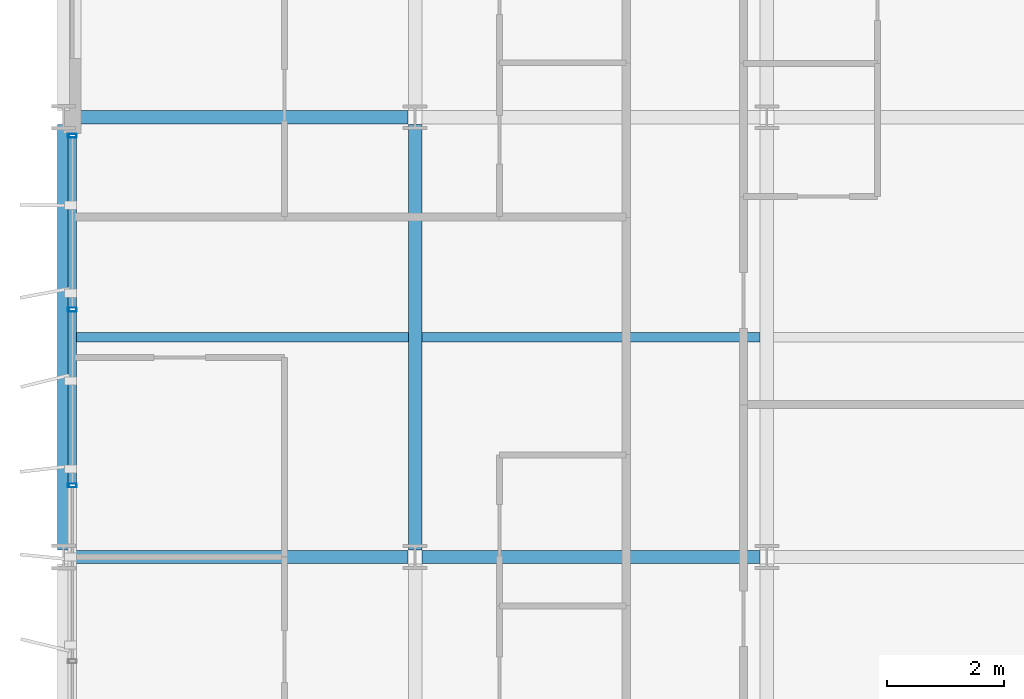
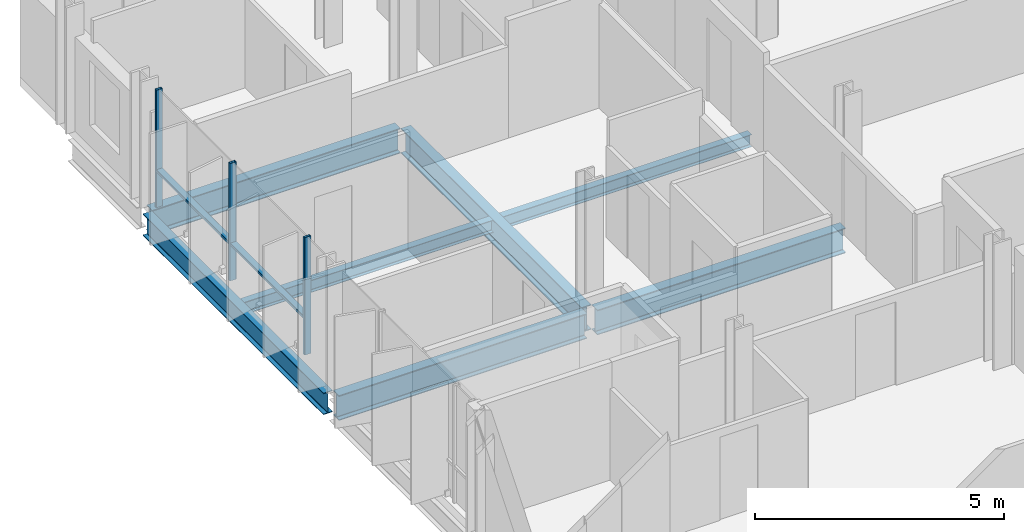
# One storey, part 5 of 38: 7 beams, 5 members, 1 element without a shape of its own.
"""IFC4 building model written with IfcOpenShell, lengths in metres."""

from ifc_helpers import new_model, si_unit, direction, frame, origin, origin_2d, place, context, subcontext, project, spatial, hollow_rectangle, i_section, extrude, material, layer, layer_set, material_profile, profile_set, type_object, element, aggregate, save


model = new_model("IFC4")

# Units and contexts
model_context = context("Model", 3, precision=1e-05, world=origin(), true_north=direction((0.0, 1.0)))
body_context = subcontext(model_context, "Body", "Model", "MODEL_VIEW")
ifc_project = project(units=[si_unit("LENGTHUNIT", "METRE"), si_unit("AREAUNIT", "SQUARE_METRE"), si_unit("VOLUMEUNIT", "CUBIC_METRE"), si_unit("PLANEANGLEUNIT", "RADIAN"), si_unit("MASSUNIT", "GRAM", prefix="KILO")], contexts=[model_context])

# Site, building, storey
site_placement = place(None, origin())
site = spatial("IfcSite", under=ifc_project, at=site_placement, CompositionType="ELEMENT")
building_placement = place(site_placement, origin())
building = spatial("IfcBuilding", under=site, at=building_placement, Name="Brevholm Reach", CompositionType="ELEMENT")
storey_placement = place(building_placement, frame((0.0, 0.0, 122.10009765625)))
storey = spatial("IfcBuildingStorey", under=building, at=storey_placement, Name="L36", CompositionType="ELEMENT", Elevation=122.10009765625)

# Beams
ifc_material_1 = material(Name="Structural Steel S355J2", Category="steel")
ifc_material_profile_1 = material_profile(ifc_material_1, i_section(OverallWidth=0.1650390625, OverallDepth=0.303466796875, WebThickness=0.006103515625, FlangeThickness=0.01025390625, FilletRadius=0.0087890625, at=origin_2d()), Name="UKB 305x165x40")
ifc_profile_set_1 = profile_set([ifc_material_profile_1], Name="Structural Steel S355J2")
beam_type_1 = type_object("IfcBeamType", Name="BM-B305", PredefinedType="BEAM", material=ifc_profile_set_1)
beam_1_placement = place(storey_placement, frame((0.104736328125, 19.75, -0.371826171875), z_axis=(1.0, 0.0, 0.0), x_axis=(0.0, 1.0, 0.0)))
element("IfcBeam", 1, at=beam_1_placement, inside=storey, type_object=beam_type_1, Name="L36 Composite Secondary Floor Beam", PredefinedType="BEAM", context=body_context, shape_type="SweptSolid", body=[
    extrude(i_section(OverallWidth=0.1650390625, OverallDepth=0.303466796875, WebThickness=0.006103515625, FlangeThickness=0.01025390625, FilletRadius=0.0087890625, at=origin_2d()), origin(), (0.0, 0.0, 1.0), 5.78076171875),
])
beam_2_placement = place(storey_placement, frame((6.114501953125, 19.75, -0.371826171875), z_axis=(1.0, 0.0, 0.0), x_axis=(0.0, 1.0, 0.0)))
element("IfcBeam", 2, at=beam_2_placement, inside=storey, type_object=beam_type_1, Name="L36 Composite Secondary Floor Beam", PredefinedType="BEAM", context=body_context, shape_type="SweptSolid", body=[
    extrude(i_section(OverallWidth=0.1650390625, OverallDepth=0.303466796875, WebThickness=0.006103515625, FlangeThickness=0.01025390625, FilletRadius=0.0087890625, at=origin_2d()), origin(), (0.0, 0.0, 1.0), 5.77099609375),
])
ifc_material_2 = material(Name="Structural Steel S355J2", Category="steel")
ifc_material_profile_2 = material_profile(ifc_material_2, i_section(OverallWidth=0.209228515625, OverallDepth=0.533203125, WebThickness=0.010009765625, FlangeThickness=0.015625, FilletRadius=0.0126953125, at=origin_2d()), Name="UKB 533x210x92")
ifc_profile_set_2 = profile_set([ifc_material_profile_2], Name="Structural Steel S355J2")
beam_type_2 = type_object("IfcBeamType", Name="BM-SP533", PredefinedType="SPANDREL", material=ifc_profile_set_2)
beam_3_placement = place(storey_placement, frame((0.0, 16.1201171875, -0.486572265625), z_axis=(0.0, 1.0, 0.0), x_axis=(-1.0, 0.0, 0.0)))
element("IfcBeam", 3, at=beam_3_placement, inside=storey, type_object=beam_type_2, Name="L36 SP-02 Framing Beam", PredefinedType="SPANDREL", context=body_context, shape_type="SweptSolid", body=[
    extrude(i_section(OverallWidth=0.209228515625, OverallDepth=0.533203125, WebThickness=0.010009765625, FlangeThickness=0.015625, FilletRadius=0.0126953125, at=origin_2d()), origin(), (0.0, 0.0, 1.0), 7.259765625),
])
ifc_material_3 = material(Name="Structural Steel S355J2", Category="steel")
ifc_material_profile_3 = material_profile(ifc_material_3, i_section(OverallWidth=0.22900390625, OverallDepth=0.6123046875, WebThickness=0.011962890625, FlangeThickness=0.01953125, FilletRadius=0.0126953125, at=origin_2d()), Name="UKB 610x229x125")
ifc_profile_set_3 = profile_set([ifc_material_profile_3], Name="Structural Steel S355J2")
beam_type_3 = type_object("IfcBeamType", Name="BM-SP610", PredefinedType="SPANDREL", material=ifc_profile_set_3)
for number, where, z_axis, x_axis, name in (
    (4, (0.1201171875, 16.0, -0.526123046875), (1.0, 0.0, 0.0), (0.0, 1.0, 0.0), "L36 SP-01 Framing Beam"),
    (5, (6.1201171875, 16.0, -0.526123046875), (1.0, 0.0, 0.0), (0.0, 1.0, 0.0), "L36 SP-01 Framing Beam"),
    (6, (0.1201171875, 23.5, -0.526123046875), (1.0, 0.0, 0.0), (0.0, 1.0, 0.0), "L36 SP-01 Framing Beam"),
):
    element("IfcBeam", number, at=place(storey_placement, frame(where, z_axis=z_axis, x_axis=x_axis)), inside=storey, type_object=beam_type_3, Name=name, PredefinedType="SPANDREL", context=body_context, shape_type="SweptSolid", body=[
        extrude(i_section(OverallWidth=0.22900390625, OverallDepth=0.6123046875, WebThickness=0.011962890625, FlangeThickness=0.01953125, FilletRadius=0.0126953125, at=origin_2d()), origin(), (0.0, 0.0, 1.0), 5.759765625),
    ])
beam_4_placement = place(storey_placement, frame((6.0, 16.1201171875, -0.526123046875), z_axis=(0.0, 1.0, 0.0), x_axis=(-1.0, 0.0, 0.0)))
element("IfcBeam", 7, at=beam_4_placement, inside=storey, type_object=beam_type_3, Name="L36 SP-01 Framing Beam", PredefinedType="SPANDREL", context=body_context, shape_type="SweptSolid", body=[
    extrude(i_section(OverallWidth=0.22900390625, OverallDepth=0.6123046875, WebThickness=0.011962890625, FlangeThickness=0.01953125, FilletRadius=0.0126953125, at=origin_2d()), origin(), (0.0, 0.0, 1.0), 7.259765625),
])

# Curtain wall, members
ifc_material_4 = material(Name="Dark Anodised Aluminium 6063-T6 and Solar-Control Glass", Category="aluminium")
ifc_layer = layer(ifc_material_4, 0.14990234375)
ifc_layer_set = layer_set([ifc_layer], Name="Dark Anodised Aluminium 6063-T6 and Solar-Control Glass")
curtain_wall_type = type_object("IfcCurtainWallType", Name="CW-01", PredefinedType="NOTDEFINED", material=ifc_layer_set)
curtain_wall_placement = place(storey_placement, origin())
curtain_wall = element("IfcCurtainWall", 8, at=curtain_wall_placement, inside=storey, type_object=curtain_wall_type, Name="L36 Curtain Wall CW-01", PredefinedType="NOTDEFINED")
ifc_material_5 = material(Name="Dark Anodised Aluminium 6063-T6", Category="aluminium")
ifc_material_profile_4 = material_profile(ifc_material_5, hollow_rectangle(XDim=0.06494140625, YDim=0.14990234375, WallThickness=0.0048828125, InnerFilletRadius=0.0048828125, OuterFilletRadius=0.010009765625, at=origin_2d()), Name="RHS 150x65x5")
ifc_profile_set_4 = profile_set([ifc_material_profile_4], Name="Dark Anodised Aluminium 6063-T6")
member_type_1 = type_object("IfcMemberType", Name="CWM-150", PredefinedType="MULLION", material=ifc_profile_set_4)
member_1_placement = place(storey_placement, frame((0.14990234375, 23.1875, 0.0), z_axis=(0.0, 0.0, 1.0), x_axis=(0.0, -1.0, 0.0)))
member_1 = element("IfcMember", 9, at=member_1_placement, type_object=member_type_1, Name="CM-150 Mullion 1", PredefinedType="MULLION", context=body_context, shape_type="SweptSolid", body=[
    extrude(hollow_rectangle(XDim=0.06494140625, YDim=0.14990234375, WallThickness=0.0048828125, InnerFilletRadius=0.0048828125, OuterFilletRadius=0.010009765625, at=origin_2d()), origin(), (0.0, 0.0, 1.0), 2.8798828125),
])
member_2_placement = place(storey_placement, frame((0.14990234375, 20.219970703125, 0.0), z_axis=(0.0, 0.0, 1.0), x_axis=(0.0, -1.0, 0.0)))
member_2 = element("IfcMember", 10, at=member_2_placement, type_object=member_type_1, Name="CM-150 Mullion 2", PredefinedType="MULLION", context=body_context, shape_type="SweptSolid", body=[
    extrude(hollow_rectangle(XDim=0.06494140625, YDim=0.14990234375, WallThickness=0.0048828125, InnerFilletRadius=0.0048828125, OuterFilletRadius=0.010009765625, at=origin_2d()), origin(), (0.0, 0.0, 1.0), 2.8798828125),
])
member_3_placement = place(storey_placement, frame((0.14990234375, 17.219970703125, 0.0), z_axis=(0.0, 0.0, 1.0), x_axis=(0.0, -1.0, 0.0)))
member_3 = element("IfcMember", 11, at=member_3_placement, type_object=member_type_1, Name="CM-150 Mullion 3", PredefinedType="MULLION", context=body_context, shape_type="SweptSolid", body=[
    extrude(hollow_rectangle(XDim=0.06494140625, YDim=0.14990234375, WallThickness=0.0048828125, InnerFilletRadius=0.0048828125, OuterFilletRadius=0.010009765625, at=origin_2d()), origin(), (0.0, 0.0, 1.0), 2.8798828125),
])
ifc_material_6 = material(Name="Dark Anodised Aluminium 6063-T6", Category="aluminium")
ifc_material_profile_5 = material_profile(ifc_material_6, hollow_rectangle(XDim=0.06494140625, YDim=0.14990234375, WallThickness=0.0048828125, InnerFilletRadius=0.0048828125, OuterFilletRadius=0.010009765625, at=origin_2d()), Name="RHS 150x65x5")
ifc_profile_set_5 = profile_set([ifc_material_profile_5], Name="Dark Anodised Aluminium 6063-T6")
member_type_2 = type_object("IfcMemberType", Name="CWT-150", PredefinedType="NOTDEFINED", material=ifc_profile_set_5)
member_4_placement = place(storey_placement, frame((0.14990234375, 23.155029296875, 0.89990234375), z_axis=(0.0, -1.0, 0.0), x_axis=(0.0, 0.0, 1.0)))
member_4 = element("IfcMember", 12, at=member_4_placement, type_object=member_type_2, Name="CT-150 Transom 1.1", ObjectType="TRANSOM", PredefinedType="USERDEFINED", context=body_context, shape_type="SweptSolid", body=[
    extrude(hollow_rectangle(XDim=0.06494140625, YDim=0.14990234375, WallThickness=0.0048828125, InnerFilletRadius=0.0048828125, OuterFilletRadius=0.010009765625, at=origin_2d()), origin(), (0.0, 0.0, 1.0), 2.902587890625),
])
member_5_placement = place(storey_placement, frame((0.14990234375, 20.1875, 0.89990234375), z_axis=(0.0, -1.0, 0.0), x_axis=(0.0, 0.0, 1.0)))
member_5 = element("IfcMember", 13, at=member_5_placement, type_object=member_type_2, Name="CT-150 Transom 2.1", ObjectType="TRANSOM", PredefinedType="USERDEFINED", context=body_context, shape_type="SweptSolid", body=[
    extrude(hollow_rectangle(XDim=0.06494140625, YDim=0.14990234375, WallThickness=0.0048828125, InnerFilletRadius=0.0048828125, OuterFilletRadius=0.010009765625, at=origin_2d()), origin(), (0.0, 0.0, 1.0), 2.93505859375),
])
aggregate(curtain_wall, [member_1, member_2, member_3, member_4, member_5])

save(model, "model.ifc")
